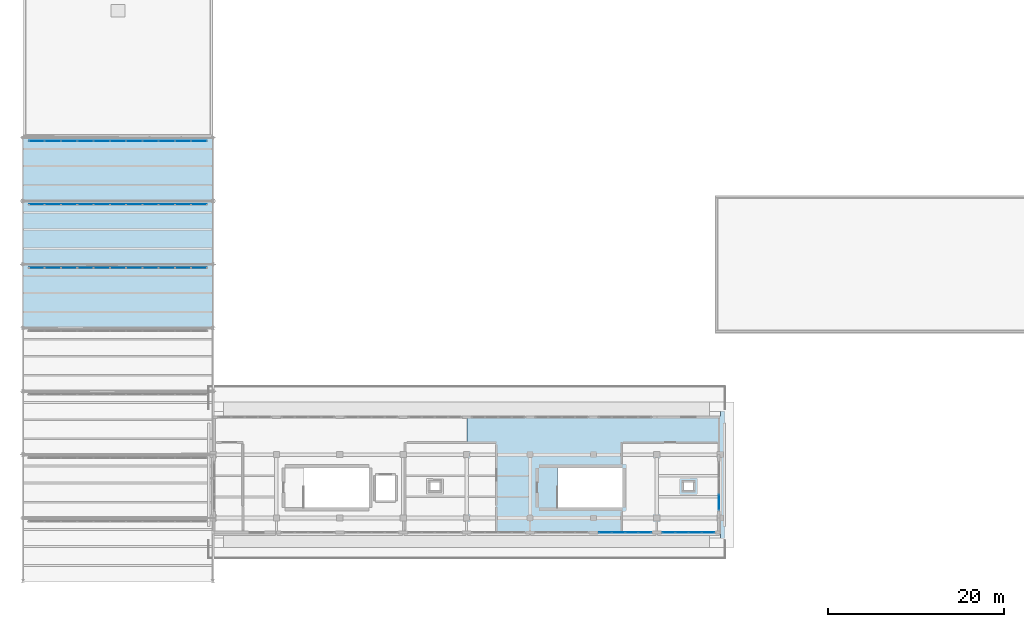
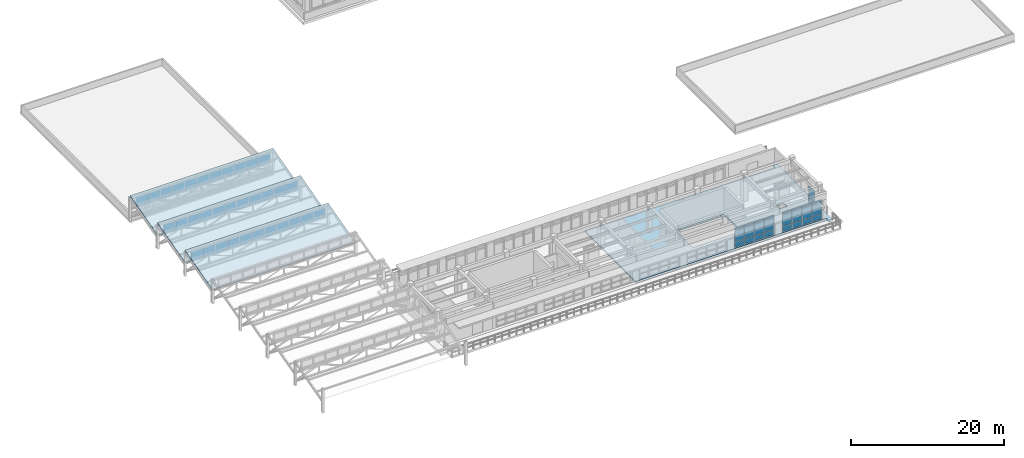
# One storey, part 36 of 55: 59 plates, 4 slabs, 6 elements without a shape of their own.
"""IFC4 building model written with IfcOpenShell, lengths in metres."""

import ifcopenshell
import ifcopenshell.guid

model = None  # the IFC model being written
_history = None  # IfcOwnerHistory: only IFC2X3 demands one
_inside = {}  # id of a spatial element -> (the spatial element, [elements in it])
_under = {}  # id of a project, library or spatial element -> (it, [spatial elements below it])
_declared = {}  # id of a project -> (the project, [libraries it declares])
_typed = {}  # id of a type object -> (the type object, [elements of that type])
_made_of = {}  # id of a material, layer set ... -> (it, [elements and type objects made of it])


def new_model(schema):
    """Start an empty IFC model of exactly this schema.

    Asked for "IFC4X3", IfcOpenShell would pick the latest addendum, in which some entities
    have other attributes; the version numbers below select the first issue.
    IFC2X3 requires an IfcOwnerHistory on every rooted entity: one is made here for all.
    """
    global model, _history
    if schema == "IFC4X3":
        model = ifcopenshell.file(schema_version=(4, 3, 0, 0))
    else:
        model = ifcopenshell.file(schema=schema)
    _inside.clear()
    _under.clear()
    _declared.clear()
    _typed.clear()
    _made_of.clear()
    _history = None
    if model.schema == "IFC2X3":
        org = make("IfcOrganization", Name="unknown")
        user = make(
            "IfcPersonAndOrganization",
            ThePerson=make("IfcPerson", FamilyName="unknown"),
            TheOrganization=org,
        )
        app = make(
            "IfcApplication",
            ApplicationDeveloper=org,
            Version="unknown",
            ApplicationFullName="unknown",
            ApplicationIdentifier="unknown",
        )
        _history = make(
            "IfcOwnerHistory",
            OwningUser=user,
            OwningApplication=app,
            ChangeAction="ADDED",
            CreationDate=0,
        )
    return model


def make(cls, **values):
    """One entity of the class cls with the attributes given. An attribute that is None is left unset."""
    return model.create_entity(
        cls, **{name: value for name, value in values.items() if value is not None}
    )


def rooted(cls, **values):
    """An entity with a GlobalId (a new one), such as an element, a storey or a relation."""
    return make(cls, GlobalId=ifcopenshell.guid.new(), OwnerHistory=_history, **values)


def si_unit(unit_type, name, prefix=None):
    """IfcSIUnit, for example si_unit("LENGTHUNIT", "METRE", prefix="MILLI")."""
    return make("IfcSIUnit", UnitType=unit_type, Prefix=prefix, Name=name)


def assignment(units):
    """IfcUnitAssignment: the units of a project."""
    return None if units is None else make("IfcUnitAssignment", Units=units)


def point(xyz):
    """IfcCartesianPoint."""
    return None if xyz is None else make("IfcCartesianPoint", Coordinates=xyz)


def direction(xyz):
    """IfcDirection."""
    return None if xyz is None else make("IfcDirection", DirectionRatios=xyz)


def frame(location, z_axis=None, x_axis=None):
    """IfcAxis2Placement3D, a coordinate frame: its origin and axes. An axis left out is left unset."""
    return make(
        "IfcAxis2Placement3D",
        Location=point(location),
        Axis=direction(z_axis),
        RefDirection=direction(x_axis),
    )


def frame_2d(location, x_axis=None):
    """IfcAxis2Placement2D, a coordinate frame in the plane: its origin and x axis."""
    return make(
        "IfcAxis2Placement2D", Location=point(location), RefDirection=direction(x_axis)
    )


def origin():
    """The frame at (0, 0, 0) with its axes left unset."""
    return frame((0.0, 0.0, 0.0))


def origin_2d():
    """The frame at (0, 0) in the plane with its x axis left unset."""
    return frame_2d((0.0, 0.0))


def place(relative_to, where):
    """IfcLocalPlacement: puts the frame where relative to a parent placement (None: the world)."""
    return make(
        "IfcLocalPlacement", PlacementRelTo=relative_to, RelativePlacement=where
    )


def context(
    kind, dimensions, precision=None, world=None, true_north=None, identifier=None
):
    """IfcGeometricRepresentationContext, for example the 3D "Model" context."""
    return make(
        "IfcGeometricRepresentationContext",
        ContextIdentifier=identifier,
        ContextType=kind,
        CoordinateSpaceDimension=dimensions,
        Precision=precision,
        WorldCoordinateSystem=world,
        TrueNorth=true_north,
    )


def subcontext(parent, identifier, kind, view, scale=None):
    """IfcGeometricRepresentationSubContext, for example "Body" below "Model"."""
    return make(
        "IfcGeometricRepresentationSubContext",
        ContextIdentifier=identifier,
        ContextType=kind,
        ParentContext=parent,
        TargetScale=scale,
        TargetView=view,
    )


def project(units=None, contexts=None):
    """IfcProject with its units and contexts."""
    return rooted(
        "IfcProject",
        Name="project",
        RepresentationContexts=contexts,
        UnitsInContext=assignment(units),
    )


def spatial(cls, under=None, at=None, **own):
    """A site, building, storey or space (cls), placed at a placement, below another one or the project."""
    s = rooted(cls, ObjectPlacement=at, **own)
    if under is not None:
        _under.setdefault(under.id(), (under, []))[1].append(s)
    return s


def polyline(points):
    """IfcPolyline through the points."""
    return make("IfcPolyline", Points=[point(p) for p in points])


def profile(cls, at=None, kind="AREA", **sizes):
    """A parametric profile (cls). Its sizes go by their IFC names, for example OverallWidth=200.0."""
    return make(cls, ProfileType=kind, Position=at, **sizes)


def rectangle(**sizes):
    """IfcRectangleProfileDef."""
    return profile("IfcRectangleProfileDef", **sizes)


def outline(outer, holes=None, kind="AREA"):
    """IfcArbitraryClosedProfileDef: a profile drawn as a closed curve; with holes, ...WithVoids."""
    if holes is None:
        return make("IfcArbitraryClosedProfileDef", ProfileType=kind, OuterCurve=outer)
    return make(
        "IfcArbitraryProfileDefWithVoids",
        ProfileType=kind,
        OuterCurve=outer,
        InnerCurves=holes,
    )


def extrude(swept, where, along, depth):
    """IfcExtrudedAreaSolid: the profile swept, set in the frame where, extruded along a direction by depth."""
    return make(
        "IfcExtrudedAreaSolid",
        SweptArea=swept,
        Position=where,
        ExtrudedDirection=direction(along),
        Depth=depth,
    )


def shape(context_of_items, identifier, shape_type, items):
    """IfcShapeRepresentation: the items that make up one representation, for example the "Body"."""
    return make(
        "IfcShapeRepresentation",
        ContextOfItems=context_of_items,
        RepresentationIdentifier=identifier,
        RepresentationType=shape_type,
        Items=items,
    )


def material(Name=None, Category=None):
    """IfcMaterial."""
    return make("IfcMaterial", Name=Name, Category=Category)


def layer(
    of_material, thickness, ventilated=None, Name=None, Category=None, Priority=None
):
    """IfcMaterialLayer: one layer of a wall or slab, of a material (None: an air gap)."""
    return make(
        "IfcMaterialLayer",
        Material=of_material,
        LayerThickness=thickness,
        IsVentilated=ventilated,
        Name=Name,
        Category=Category,
        Priority=Priority,
    )


def layer_set(layers, Name=None):
    """IfcMaterialLayerSet."""
    return make("IfcMaterialLayerSet", MaterialLayers=layers, LayerSetName=Name)


def made_of(thing, what):
    """Note that an element or type object is made of a material, layer set ...; save() writes the relation."""
    if what is not None:
        _made_of.setdefault(what.id(), (what, []))[1].append(thing)
    return thing


def type_object(cls, material=None, **own):
    """A type object (cls), such as IfcWallType, which elements share."""
    return made_of(rooted(cls, **own), material)


def element(
    cls,
    number,
    at=None,
    inside=None,
    cuts=None,
    type_object=None,
    material=None,
    context=None,
    identifier="Body",
    shape_type=None,
    held_by="IfcProductDefinitionShape",
    body=None,
    shapes=None,
    **own,
):
    """One element of the class cls, such as IfcWall. Its Tag is "e" and its number.

    at: its placement. inside: the storey or other place that contains it. cuts: it is an
    opening in that element (IfcRelVoidsElement). A single representation is given by context,
    identifier, shape_type and body (its items); several are given by shapes. held_by: the class
    of the entity that holds the representations. save() writes the other relations.
    """
    e = rooted(cls, Tag="e%d" % number, ObjectPlacement=at, **own)
    if body is not None:
        shapes = [shape(context, identifier, shape_type, body)]
    if shapes is not None:
        e.Representation = make(held_by, Representations=shapes)
    if inside is not None:
        _inside.setdefault(inside.id(), (inside, []))[1].append(e)
    if cuts is not None:
        rooted(
            "IfcRelVoidsElement", RelatingBuildingElement=cuts, RelatedOpeningElement=e
        )
    if type_object is not None:
        _typed.setdefault(type_object.id(), (type_object, []))[1].append(e)
    return made_of(e, material)


def aggregate(whole, parts):
    """IfcRelAggregates: a whole, such as a stair, and the parts it consists of."""
    return rooted("IfcRelAggregates", RelatingObject=whole, RelatedObjects=parts)


def save(model, path):
    """Write the relations noted so far, then the file.

    IfcRelAggregates (storeys below a building ...), IfcRelContainedInSpatialStructure (elements
    in a storey), IfcRelDefinesByType, IfcRelAssociatesMaterial and IfcRelDeclares: one each for
    every whole, place, type object, material and project.
    """
    for whole, parts in _under.values():
        aggregate(whole, parts)
    for where, things in _inside.values():
        rooted(
            "IfcRelContainedInSpatialStructure",
            RelatedElements=things,
            RelatingStructure=where,
        )
    for kind, things in _typed.values():
        rooted("IfcRelDefinesByType", RelatedObjects=things, RelatingType=kind)
    for what, things in _made_of.values():
        rooted("IfcRelAssociatesMaterial", RelatedObjects=things, RelatingMaterial=what)
    for by, libraries in _declared.values():
        rooted("IfcRelDeclares", RelatingContext=by, RelatedDefinitions=libraries)
    model.write(path)


model = new_model("IFC4")

# Units and contexts
model_context = context("Model", 3, precision=1e-05, world=origin(), true_north=direction((0.0, 1.0)))
body_context = subcontext(model_context, "Body", "Model", "MODEL_VIEW")
ifc_project = project(units=[si_unit("LENGTHUNIT", "METRE"), si_unit("AREAUNIT", "SQUARE_METRE"), si_unit("VOLUMEUNIT", "CUBIC_METRE"), si_unit("PLANEANGLEUNIT", "RADIAN"), si_unit("MASSUNIT", "GRAM", prefix="KILO")], contexts=[model_context])

# Site, building, storey
site_placement = place(None, origin())
site = spatial("IfcSite", under=ifc_project, at=site_placement, CompositionType="ELEMENT")
building_placement = place(site_placement, origin())
building = spatial("IfcBuilding", under=site, at=building_placement, Name="Solenvale Faculty of Natural Sciences", CompositionType="ELEMENT")
storey_placement = place(building_placement, frame((0.0, 0.0, 22.5)))
storey = spatial("IfcBuildingStorey", under=building, at=storey_placement, Name="L05", CompositionType="ELEMENT", Elevation=22.5)

# Curtain wall, plates
ifc_material_1 = material(Name="Anodised bronze aluminium", Category="aluminium")
ifc_layer_1 = layer(ifc_material_1, 0.1650390625)
ifc_layer_set_1 = layer_set([ifc_layer_1], Name="Anodised bronze aluminium")
curtain_wall_type_1 = type_object("IfcCurtainWallType", Name="CW-SAW-CLR", PredefinedType="USERDEFINED", material=ifc_layer_set_1)
curtain_wall_1_placement = place(storey_placement, origin())
curtain_wall_1 = element("IfcCurtainWall", 1, at=curtain_wall_1_placement, inside=storey, type_object=curtain_wall_type_1, Name="L05 Curtain Wall SAW-V3-CW-5-1", ObjectType="NORTH LIGHT CLERESTORY", PredefinedType="USERDEFINED")
ifc_material_2 = material(Name="North-light skylight glass", Category="glass")
ifc_layer_2 = layer(ifc_material_2, 0.028076171875)
ifc_layer_set_2 = layer_set([ifc_layer_2], Name="North-light skylight glass")
plate_type_1 = type_object("IfcPlateType", Name="CWP-PNL-28", PredefinedType="CURTAIN_PANEL", material=ifc_layer_set_2)
plate_1_placement = place(storey_placement, frame((56.02001953125, 50.02001953125, 2.294921875), z_axis=(0.0, 0.0, 1.0), x_axis=(-1.0, 0.0, 0.0)))
plate_1 = element("IfcPlate", 2, at=plate_1_placement, type_object=plate_type_1, Name="CW-05 panel 1.1", PredefinedType="CURTAIN_PANEL", context=body_context, shape_type="SweptSolid", body=[
    extrude(rectangle(XDim=1.749755859375, YDim=0.028076171875, at=origin_2d()), origin(), (0.0, 0.0, 1.0), 1.47998046875),
])
plate_2_placement = place(storey_placement, frame((54.189208984375, 50.02001953125, 2.294921875), z_axis=(0.0, 0.0, 1.0), x_axis=(-1.0, 0.0, 0.0)))
plate_2 = element("IfcPlate", 3, at=plate_2_placement, type_object=plate_type_1, Name="CW-05 panel 2.1", PredefinedType="CURTAIN_PANEL", context=body_context, shape_type="SweptSolid", body=[
    extrude(rectangle(XDim=1.7822265625, YDim=0.028076171875, at=origin_2d()), origin(), (0.0, 0.0, 1.0), 1.47998046875),
])
plate_3_placement = place(storey_placement, frame((52.341796875, 50.02001953125, 2.294921875), z_axis=(0.0, 0.0, 1.0), x_axis=(-1.0, 0.0, 0.0)))
plate_3 = element("IfcPlate", 4, at=plate_3_placement, type_object=plate_type_1, Name="CW-05 panel 3.1", PredefinedType="CURTAIN_PANEL", context=body_context, shape_type="SweptSolid", body=[
    extrude(rectangle(XDim=1.7822265625, YDim=0.028076171875, at=origin_2d()), origin(), (0.0, 0.0, 1.0), 1.47998046875),
])
plate_4_placement = place(storey_placement, frame((50.49462890625, 50.02001953125, 2.294921875), z_axis=(0.0, 0.0, 1.0), x_axis=(-1.0, 0.0, 0.0)))
plate_4 = element("IfcPlate", 5, at=plate_4_placement, type_object=plate_type_1, Name="CW-05 panel 4.1", PredefinedType="CURTAIN_PANEL", context=body_context, shape_type="SweptSolid", body=[
    extrude(rectangle(XDim=1.7822265625, YDim=0.028076171875, at=origin_2d()), origin(), (0.0, 0.0, 1.0), 1.47998046875),
])
plate_5_placement = place(storey_placement, frame((48.647216796875, 50.02001953125, 2.294921875), z_axis=(0.0, 0.0, 1.0), x_axis=(-1.0, 0.0, 0.0)))
plate_5 = element("IfcPlate", 6, at=plate_5_placement, type_object=plate_type_1, Name="CW-05 panel 5.1", PredefinedType="CURTAIN_PANEL", context=body_context, shape_type="SweptSolid", body=[
    extrude(rectangle(XDim=1.7822265625, YDim=0.028076171875, at=origin_2d()), origin(), (0.0, 0.0, 1.0), 1.47998046875),
])
plate_6_placement = place(storey_placement, frame((46.800048828125, 50.02001953125, 2.294921875), z_axis=(0.0, 0.0, 1.0), x_axis=(-1.0, 0.0, 0.0)))
plate_6 = element("IfcPlate", 7, at=plate_6_placement, type_object=plate_type_1, Name="CW-05 panel 6.1", PredefinedType="CURTAIN_PANEL", context=body_context, shape_type="SweptSolid", body=[
    extrude(rectangle(XDim=1.7822265625, YDim=0.028076171875, at=origin_2d()), origin(), (0.0, 0.0, 1.0), 1.47998046875),
])
plate_7_placement = place(storey_placement, frame((44.95263671875, 50.02001953125, 2.294921875), z_axis=(0.0, 0.0, 1.0), x_axis=(-1.0, 0.0, 0.0)))
plate_7 = element("IfcPlate", 8, at=plate_7_placement, type_object=plate_type_1, Name="CW-05 panel 7.1", PredefinedType="CURTAIN_PANEL", context=body_context, shape_type="SweptSolid", body=[
    extrude(rectangle(XDim=1.7822265625, YDim=0.028076171875, at=origin_2d()), origin(), (0.0, 0.0, 1.0), 1.47998046875),
])
plate_8_placement = place(storey_placement, frame((43.10546875, 50.02001953125, 2.294921875), z_axis=(0.0, 0.0, 1.0), x_axis=(-1.0, 0.0, 0.0)))
plate_8 = element("IfcPlate", 9, at=plate_8_placement, type_object=plate_type_1, Name="CW-05 panel 8.1", PredefinedType="CURTAIN_PANEL", context=body_context, shape_type="SweptSolid", body=[
    extrude(rectangle(XDim=1.7822265625, YDim=0.028076171875, at=origin_2d()), origin(), (0.0, 0.0, 1.0), 1.47998046875),
])
plate_9_placement = place(storey_placement, frame((41.25830078125, 50.02001953125, 2.294921875), z_axis=(0.0, 0.0, 1.0), x_axis=(-1.0, 0.0, 0.0)))
plate_9 = element("IfcPlate", 10, at=plate_9_placement, type_object=plate_type_1, Name="CW-05 panel 9.1", PredefinedType="CURTAIN_PANEL", context=body_context, shape_type="SweptSolid", body=[
    extrude(rectangle(XDim=1.7822265625, YDim=0.028076171875, at=origin_2d()), origin(), (0.0, 0.0, 1.0), 1.47998046875),
])
plate_10_placement = place(storey_placement, frame((39.410888671875, 50.02001953125, 2.294921875), z_axis=(0.0, 0.0, 1.0), x_axis=(-1.0, 0.0, 0.0)))
plate_10 = element("IfcPlate", 11, at=plate_10_placement, type_object=plate_type_1, Name="CW-05 panel 10.1", PredefinedType="CURTAIN_PANEL", context=body_context, shape_type="SweptSolid", body=[
    extrude(rectangle(XDim=1.7822265625, YDim=0.028076171875, at=origin_2d()), origin(), (0.0, 0.0, 1.0), 1.47998046875),
])
plate_11_placement = place(storey_placement, frame((37.579833984375, 50.02001953125, 2.294921875), z_axis=(0.0, 0.0, 1.0), x_axis=(-1.0, 0.0, 0.0)))
plate_11 = element("IfcPlate", 12, at=plate_11_placement, type_object=plate_type_1, Name="CW-05 panel 11.1", PredefinedType="CURTAIN_PANEL", context=body_context, shape_type="SweptSolid", body=[
    extrude(rectangle(XDim=1.749755859375, YDim=0.028076171875, at=origin_2d()), origin(), (0.0, 0.0, 1.0), 1.47998046875),
])
aggregate(curtain_wall_1, [plate_1, plate_2, plate_3, plate_4, plate_5, plate_6, plate_7, plate_8, plate_9, plate_10, plate_11])

curtain_wall_2_placement = place(storey_placement, origin())
curtain_wall_2 = element("IfcCurtainWall", 13, at=curtain_wall_2_placement, inside=storey, type_object=curtain_wall_type_1, Name="L05 Curtain Wall SAW-V3-CW-6-1", ObjectType="NORTH LIGHT CLERESTORY", PredefinedType="USERDEFINED")
plate_12_placement = place(storey_placement, frame((56.02001953125, 57.219970703125, 2.294921875), z_axis=(0.0, 0.0, 1.0), x_axis=(-1.0, 0.0, 0.0)))
plate_12 = element("IfcPlate", 14, at=plate_12_placement, type_object=plate_type_1, Name="CW-05 panel 1.1", PredefinedType="CURTAIN_PANEL", context=body_context, shape_type="SweptSolid", body=[
    extrude(rectangle(XDim=1.749755859375, YDim=0.028076171875, at=origin_2d()), origin(), (0.0, 0.0, 1.0), 1.47998046875),
])
plate_13_placement = place(storey_placement, frame((54.189208984375, 57.219970703125, 2.294921875), z_axis=(0.0, 0.0, 1.0), x_axis=(-1.0, 0.0, 0.0)))
plate_13 = element("IfcPlate", 15, at=plate_13_placement, type_object=plate_type_1, Name="CW-05 panel 2.1", PredefinedType="CURTAIN_PANEL", context=body_context, shape_type="SweptSolid", body=[
    extrude(rectangle(XDim=1.7822265625, YDim=0.028076171875, at=origin_2d()), origin(), (0.0, 0.0, 1.0), 1.47998046875),
])
plate_14_placement = place(storey_placement, frame((52.341796875, 57.219970703125, 2.294921875), z_axis=(0.0, 0.0, 1.0), x_axis=(-1.0, 0.0, 0.0)))
plate_14 = element("IfcPlate", 16, at=plate_14_placement, type_object=plate_type_1, Name="CW-05 panel 3.1", PredefinedType="CURTAIN_PANEL", context=body_context, shape_type="SweptSolid", body=[
    extrude(rectangle(XDim=1.7822265625, YDim=0.028076171875, at=origin_2d()), origin(), (0.0, 0.0, 1.0), 1.47998046875),
])
plate_15_placement = place(storey_placement, frame((50.49462890625, 57.219970703125, 2.294921875), z_axis=(0.0, 0.0, 1.0), x_axis=(-1.0, 0.0, 0.0)))
plate_15 = element("IfcPlate", 17, at=plate_15_placement, type_object=plate_type_1, Name="CW-05 panel 4.1", PredefinedType="CURTAIN_PANEL", context=body_context, shape_type="SweptSolid", body=[
    extrude(rectangle(XDim=1.7822265625, YDim=0.028076171875, at=origin_2d()), origin(), (0.0, 0.0, 1.0), 1.47998046875),
])
plate_16_placement = place(storey_placement, frame((48.647216796875, 57.219970703125, 2.294921875), z_axis=(0.0, 0.0, 1.0), x_axis=(-1.0, 0.0, 0.0)))
plate_16 = element("IfcPlate", 18, at=plate_16_placement, type_object=plate_type_1, Name="CW-05 panel 5.1", PredefinedType="CURTAIN_PANEL", context=body_context, shape_type="SweptSolid", body=[
    extrude(rectangle(XDim=1.7822265625, YDim=0.028076171875, at=origin_2d()), origin(), (0.0, 0.0, 1.0), 1.47998046875),
])
plate_17_placement = place(storey_placement, frame((46.800048828125, 57.219970703125, 2.294921875), z_axis=(0.0, 0.0, 1.0), x_axis=(-1.0, 0.0, 0.0)))
plate_17 = element("IfcPlate", 19, at=plate_17_placement, type_object=plate_type_1, Name="CW-05 panel 6.1", PredefinedType="CURTAIN_PANEL", context=body_context, shape_type="SweptSolid", body=[
    extrude(rectangle(XDim=1.7822265625, YDim=0.028076171875, at=origin_2d()), origin(), (0.0, 0.0, 1.0), 1.47998046875),
])
plate_18_placement = place(storey_placement, frame((44.95263671875, 57.219970703125, 2.294921875), z_axis=(0.0, 0.0, 1.0), x_axis=(-1.0, 0.0, 0.0)))
plate_18 = element("IfcPlate", 20, at=plate_18_placement, type_object=plate_type_1, Name="CW-05 panel 7.1", PredefinedType="CURTAIN_PANEL", context=body_context, shape_type="SweptSolid", body=[
    extrude(rectangle(XDim=1.7822265625, YDim=0.028076171875, at=origin_2d()), origin(), (0.0, 0.0, 1.0), 1.47998046875),
])
plate_19_placement = place(storey_placement, frame((43.10546875, 57.219970703125, 2.294921875), z_axis=(0.0, 0.0, 1.0), x_axis=(-1.0, 0.0, 0.0)))
plate_19 = element("IfcPlate", 21, at=plate_19_placement, type_object=plate_type_1, Name="CW-05 panel 8.1", PredefinedType="CURTAIN_PANEL", context=body_context, shape_type="SweptSolid", body=[
    extrude(rectangle(XDim=1.7822265625, YDim=0.028076171875, at=origin_2d()), origin(), (0.0, 0.0, 1.0), 1.47998046875),
])
plate_20_placement = place(storey_placement, frame((41.25830078125, 57.219970703125, 2.294921875), z_axis=(0.0, 0.0, 1.0), x_axis=(-1.0, 0.0, 0.0)))
plate_20 = element("IfcPlate", 22, at=plate_20_placement, type_object=plate_type_1, Name="CW-05 panel 9.1", PredefinedType="CURTAIN_PANEL", context=body_context, shape_type="SweptSolid", body=[
    extrude(rectangle(XDim=1.7822265625, YDim=0.028076171875, at=origin_2d()), origin(), (0.0, 0.0, 1.0), 1.47998046875),
])
plate_21_placement = place(storey_placement, frame((39.410888671875, 57.219970703125, 2.294921875), z_axis=(0.0, 0.0, 1.0), x_axis=(-1.0, 0.0, 0.0)))
plate_21 = element("IfcPlate", 23, at=plate_21_placement, type_object=plate_type_1, Name="CW-05 panel 10.1", PredefinedType="CURTAIN_PANEL", context=body_context, shape_type="SweptSolid", body=[
    extrude(rectangle(XDim=1.7822265625, YDim=0.028076171875, at=origin_2d()), origin(), (0.0, 0.0, 1.0), 1.47998046875),
])
plate_22_placement = place(storey_placement, frame((37.579833984375, 57.219970703125, 2.294921875), z_axis=(0.0, 0.0, 1.0), x_axis=(-1.0, 0.0, 0.0)))
plate_22 = element("IfcPlate", 24, at=plate_22_placement, type_object=plate_type_1, Name="CW-05 panel 11.1", PredefinedType="CURTAIN_PANEL", context=body_context, shape_type="SweptSolid", body=[
    extrude(rectangle(XDim=1.749755859375, YDim=0.028076171875, at=origin_2d()), origin(), (0.0, 0.0, 1.0), 1.47998046875),
])
aggregate(curtain_wall_2, [plate_12, plate_13, plate_14, plate_15, plate_16, plate_17, plate_18, plate_19, plate_20, plate_21, plate_22])

curtain_wall_3_placement = place(storey_placement, origin())
curtain_wall_3 = element("IfcCurtainWall", 25, at=curtain_wall_3_placement, inside=storey, type_object=curtain_wall_type_1, Name="L05 Curtain Wall SAW-V3-CW-7-1", ObjectType="NORTH LIGHT CLERESTORY", PredefinedType="USERDEFINED")
plate_23_placement = place(storey_placement, frame((56.02001953125, 64.419921875, 2.294921875), z_axis=(0.0, 0.0, 1.0), x_axis=(-1.0, 0.0, 0.0)))
plate_23 = element("IfcPlate", 26, at=plate_23_placement, type_object=plate_type_1, Name="CW-05 panel 1.1", PredefinedType="CURTAIN_PANEL", context=body_context, shape_type="SweptSolid", body=[
    extrude(rectangle(XDim=1.749755859375, YDim=0.028076171875, at=origin_2d()), origin(), (0.0, 0.0, 1.0), 1.47998046875),
])
plate_24_placement = place(storey_placement, frame((54.189208984375, 64.419921875, 2.294921875), z_axis=(0.0, 0.0, 1.0), x_axis=(-1.0, 0.0, 0.0)))
plate_24 = element("IfcPlate", 27, at=plate_24_placement, type_object=plate_type_1, Name="CW-05 panel 2.1", PredefinedType="CURTAIN_PANEL", context=body_context, shape_type="SweptSolid", body=[
    extrude(rectangle(XDim=1.7822265625, YDim=0.028076171875, at=origin_2d()), origin(), (0.0, 0.0, 1.0), 1.47998046875),
])
plate_25_placement = place(storey_placement, frame((52.341796875, 64.419921875, 2.294921875), z_axis=(0.0, 0.0, 1.0), x_axis=(-1.0, 0.0, 0.0)))
plate_25 = element("IfcPlate", 28, at=plate_25_placement, type_object=plate_type_1, Name="CW-05 panel 3.1", PredefinedType="CURTAIN_PANEL", context=body_context, shape_type="SweptSolid", body=[
    extrude(rectangle(XDim=1.7822265625, YDim=0.028076171875, at=origin_2d()), origin(), (0.0, 0.0, 1.0), 1.47998046875),
])
plate_26_placement = place(storey_placement, frame((50.49462890625, 64.419921875, 2.294921875), z_axis=(0.0, 0.0, 1.0), x_axis=(-1.0, 0.0, 0.0)))
plate_26 = element("IfcPlate", 29, at=plate_26_placement, type_object=plate_type_1, Name="CW-05 panel 4.1", PredefinedType="CURTAIN_PANEL", context=body_context, shape_type="SweptSolid", body=[
    extrude(rectangle(XDim=1.7822265625, YDim=0.028076171875, at=origin_2d()), origin(), (0.0, 0.0, 1.0), 1.47998046875),
])
plate_27_placement = place(storey_placement, frame((48.647216796875, 64.419921875, 2.294921875), z_axis=(0.0, 0.0, 1.0), x_axis=(-1.0, 0.0, 0.0)))
plate_27 = element("IfcPlate", 30, at=plate_27_placement, type_object=plate_type_1, Name="CW-05 panel 5.1", PredefinedType="CURTAIN_PANEL", context=body_context, shape_type="SweptSolid", body=[
    extrude(rectangle(XDim=1.7822265625, YDim=0.028076171875, at=origin_2d()), origin(), (0.0, 0.0, 1.0), 1.47998046875),
])
plate_28_placement = place(storey_placement, frame((46.800048828125, 64.419921875, 2.294921875), z_axis=(0.0, 0.0, 1.0), x_axis=(-1.0, 0.0, 0.0)))
plate_28 = element("IfcPlate", 31, at=plate_28_placement, type_object=plate_type_1, Name="CW-05 panel 6.1", PredefinedType="CURTAIN_PANEL", context=body_context, shape_type="SweptSolid", body=[
    extrude(rectangle(XDim=1.7822265625, YDim=0.028076171875, at=origin_2d()), origin(), (0.0, 0.0, 1.0), 1.47998046875),
])
plate_29_placement = place(storey_placement, frame((44.95263671875, 64.419921875, 2.294921875), z_axis=(0.0, 0.0, 1.0), x_axis=(-1.0, 0.0, 0.0)))
plate_29 = element("IfcPlate", 32, at=plate_29_placement, type_object=plate_type_1, Name="CW-05 panel 7.1", PredefinedType="CURTAIN_PANEL", context=body_context, shape_type="SweptSolid", body=[
    extrude(rectangle(XDim=1.7822265625, YDim=0.028076171875, at=origin_2d()), origin(), (0.0, 0.0, 1.0), 1.47998046875),
])
plate_30_placement = place(storey_placement, frame((43.10546875, 64.419921875, 2.294921875), z_axis=(0.0, 0.0, 1.0), x_axis=(-1.0, 0.0, 0.0)))
plate_30 = element("IfcPlate", 33, at=plate_30_placement, type_object=plate_type_1, Name="CW-05 panel 8.1", PredefinedType="CURTAIN_PANEL", context=body_context, shape_type="SweptSolid", body=[
    extrude(rectangle(XDim=1.7822265625, YDim=0.028076171875, at=origin_2d()), origin(), (0.0, 0.0, 1.0), 1.47998046875),
])
plate_31_placement = place(storey_placement, frame((41.25830078125, 64.419921875, 2.294921875), z_axis=(0.0, 0.0, 1.0), x_axis=(-1.0, 0.0, 0.0)))
plate_31 = element("IfcPlate", 34, at=plate_31_placement, type_object=plate_type_1, Name="CW-05 panel 9.1", PredefinedType="CURTAIN_PANEL", context=body_context, shape_type="SweptSolid", body=[
    extrude(rectangle(XDim=1.7822265625, YDim=0.028076171875, at=origin_2d()), origin(), (0.0, 0.0, 1.0), 1.47998046875),
])
plate_32_placement = place(storey_placement, frame((39.410888671875, 64.419921875, 2.294921875), z_axis=(0.0, 0.0, 1.0), x_axis=(-1.0, 0.0, 0.0)))
plate_32 = element("IfcPlate", 35, at=plate_32_placement, type_object=plate_type_1, Name="CW-05 panel 10.1", PredefinedType="CURTAIN_PANEL", context=body_context, shape_type="SweptSolid", body=[
    extrude(rectangle(XDim=1.7822265625, YDim=0.028076171875, at=origin_2d()), origin(), (0.0, 0.0, 1.0), 1.47998046875),
])
plate_33_placement = place(storey_placement, frame((37.579833984375, 64.419921875, 2.294921875), z_axis=(0.0, 0.0, 1.0), x_axis=(-1.0, 0.0, 0.0)))
plate_33 = element("IfcPlate", 36, at=plate_33_placement, type_object=plate_type_1, Name="CW-05 panel 11.1", PredefinedType="CURTAIN_PANEL", context=body_context, shape_type="SweptSolid", body=[
    extrude(rectangle(XDim=1.749755859375, YDim=0.028076171875, at=origin_2d()), origin(), (0.0, 0.0, 1.0), 1.47998046875),
])
aggregate(curtain_wall_3, [plate_23, plate_24, plate_25, plate_26, plate_27, plate_28, plate_29, plate_30, plate_31, plate_32, plate_33])

ifc_layer_3 = layer(ifc_material_1, 0.179931640625)
ifc_layer_set_3 = layer_set([ifc_layer_3], Name="Anodised bronze aluminium")
curtain_wall_type_2 = type_object("IfcCurtainWallType", Name="CW-TWR-MOD", PredefinedType="USERDEFINED", material=ifc_layer_set_3)
curtain_wall_4_placement = place(storey_placement, origin())
curtain_wall_4 = element("IfcCurtainWall", 37, at=curtain_wall_4_placement, inside=storey, type_object=curtain_wall_type_2, Name="L05 Curtain Wall CW-L05-P1-E1-B2", ObjectType="UNITISED CURTAIN WALL", PredefinedType="USERDEFINED")
ifc_material_3 = material(Name="Triple low-E insulated glass", Category="glass")
ifc_layer_4 = layer(ifc_material_3, 0.031982421875)
ifc_layer_set_4 = layer_set([ifc_layer_4], Name="Triple low-E insulated glass")
plate_type_2 = type_object("IfcPlateType", Name="CWP-PNL-32", PredefinedType="CURTAIN_PANEL", material=ifc_layer_set_4)
plate_34_placement = place(storey_placement, frame((115.0576171875, 23.385498046875, 0.074951171875), z_axis=(0.0, 0.0, 1.0), x_axis=(0.0, 1.0, 0.0)))
plate_34 = element("IfcPlate", 38, at=plate_34_placement, type_object=plate_type_2, Name="CW-04 panel 1.1", PredefinedType="CURTAIN_PANEL", context=body_context, shape_type="SweptSolid", body=[
    extrude(rectangle(XDim=1.720947265625, YDim=0.031982421875, at=origin_2d()), origin(), (0.0, 0.0, 1.0), 0.78759765625),
])
plate_35_placement = place(storey_placement, frame((115.0576171875, 23.385498046875, 0.9375), z_axis=(0.0, 0.0, 1.0), x_axis=(0.0, 1.0, 0.0)))
plate_35 = element("IfcPlate", 39, at=plate_35_placement, type_object=plate_type_2, Name="CW-04 panel 1.2", PredefinedType="CURTAIN_PANEL", context=body_context, shape_type="SweptSolid", body=[
    extrude(rectangle(XDim=1.720947265625, YDim=0.031982421875, at=origin_2d()), origin(), (0.0, 0.0, 1.0), 1.784912109375),
])
aggregate(curtain_wall_4, [plate_34, plate_35])

ifc_layer_5 = layer(ifc_material_1, 0.18994140625)
ifc_layer_set_5 = layer_set([ifc_layer_5], Name="Anodised bronze aluminium")
curtain_wall_type_3 = type_object("IfcCurtainWallType", Name="CW-TRAY-REC", PredefinedType="USERDEFINED", material=ifc_layer_set_5)
curtain_wall_5_placement = place(storey_placement, origin())
curtain_wall_5 = element("IfcCurtainWall", 40, at=curtain_wall_5_placement, inside=storey, type_object=curtain_wall_type_3, Name="L05 Curtain Wall CW-L05-P1-E4-B7", ObjectType="UNITISED CURTAIN WALL", PredefinedType="USERDEFINED")
plate_36_placement = place(storey_placement, frame((102.15380859375, 19.96240234375, 0.074951171875), z_axis=(0.0, 0.0, 1.0), x_axis=(1.0, 0.0, 0.0)))
plate_36 = element("IfcPlate", 41, at=plate_36_placement, type_object=plate_type_2, Name="CW-02 panel 1.1", PredefinedType="CURTAIN_PANEL", context=body_context, shape_type="SweptSolid", body=[
    extrude(rectangle(XDim=1.3974609375, YDim=0.031982421875, at=origin_2d()), origin(), (0.0, 0.0, 1.0), 0.78759765625),
])
plate_37_placement = place(storey_placement, frame((102.15380859375, 19.96240234375, 0.9375), z_axis=(0.0, 0.0, 1.0), x_axis=(1.0, 0.0, 0.0)))
plate_37 = element("IfcPlate", 42, at=plate_37_placement, type_object=plate_type_2, Name="CW-02 panel 1.2", PredefinedType="CURTAIN_PANEL", context=body_context, shape_type="SweptSolid", body=[
    extrude(rectangle(XDim=1.3974609375, YDim=0.031982421875, at=origin_2d()), origin(), (0.0, 0.0, 1.0), 1.784912109375),
])
plate_38_placement = place(storey_placement, frame((102.15380859375, 19.96240234375, 2.79736328125), z_axis=(0.0, 0.0, 1.0), x_axis=(1.0, 0.0, 0.0)))
plate_38 = element("IfcPlate", 43, at=plate_38_placement, type_object=plate_type_2, Name="CW-02 panel 1.3", PredefinedType="CURTAIN_PANEL", context=body_context, shape_type="SweptSolid", body=[
    extrude(rectangle(XDim=1.3974609375, YDim=0.031982421875, at=origin_2d()), origin(), (0.0, 0.0, 1.0), 0.387451171875),
])
plate_39_placement = place(storey_placement, frame((103.64501953125, 19.96240234375, 0.074951171875), z_axis=(0.0, 0.0, 1.0), x_axis=(1.0, 0.0, 0.0)))
plate_39 = element("IfcPlate", 44, at=plate_39_placement, type_object=plate_type_2, Name="CW-02 panel 2.1", PredefinedType="CURTAIN_PANEL", context=body_context, shape_type="SweptSolid", body=[
    extrude(rectangle(XDim=1.43505859375, YDim=0.031982421875, at=origin_2d()), origin(), (0.0, 0.0, 1.0), 0.78759765625),
])
plate_40_placement = place(storey_placement, frame((103.64501953125, 19.96240234375, 0.9375), z_axis=(0.0, 0.0, 1.0), x_axis=(1.0, 0.0, 0.0)))
plate_40 = element("IfcPlate", 45, at=plate_40_placement, type_object=plate_type_2, Name="CW-02 panel 2.2", PredefinedType="CURTAIN_PANEL", context=body_context, shape_type="SweptSolid", body=[
    extrude(rectangle(XDim=1.43505859375, YDim=0.031982421875, at=origin_2d()), origin(), (0.0, 0.0, 1.0), 1.784912109375),
])
plate_41_placement = place(storey_placement, frame((103.64501953125, 19.96240234375, 2.79736328125), z_axis=(0.0, 0.0, 1.0), x_axis=(1.0, 0.0, 0.0)))
plate_41 = element("IfcPlate", 46, at=plate_41_placement, type_object=plate_type_2, Name="CW-02 panel 2.3", PredefinedType="CURTAIN_PANEL", context=body_context, shape_type="SweptSolid", body=[
    extrude(rectangle(XDim=1.43505859375, YDim=0.031982421875, at=origin_2d()), origin(), (0.0, 0.0, 1.0), 0.387451171875),
])
plate_42_placement = place(storey_placement, frame((105.155029296875, 19.96240234375, 0.074951171875), z_axis=(0.0, 0.0, 1.0), x_axis=(1.0, 0.0, 0.0)))
plate_42 = element("IfcPlate", 47, at=plate_42_placement, type_object=plate_type_2, Name="CW-02 panel 3.1", PredefinedType="CURTAIN_PANEL", context=body_context, shape_type="SweptSolid", body=[
    extrude(rectangle(XDim=1.43505859375, YDim=0.031982421875, at=origin_2d()), origin(), (0.0, 0.0, 1.0), 0.78759765625),
])
plate_43_placement = place(storey_placement, frame((105.155029296875, 19.96240234375, 0.9375), z_axis=(0.0, 0.0, 1.0), x_axis=(1.0, 0.0, 0.0)))
plate_43 = element("IfcPlate", 48, at=plate_43_placement, type_object=plate_type_2, Name="CW-02 panel 3.2", PredefinedType="CURTAIN_PANEL", context=body_context, shape_type="SweptSolid", body=[
    extrude(rectangle(XDim=1.43505859375, YDim=0.031982421875, at=origin_2d()), origin(), (0.0, 0.0, 1.0), 1.784912109375),
])
plate_44_placement = place(storey_placement, frame((105.155029296875, 19.96240234375, 2.79736328125), z_axis=(0.0, 0.0, 1.0), x_axis=(1.0, 0.0, 0.0)))
plate_44 = element("IfcPlate", 49, at=plate_44_placement, type_object=plate_type_2, Name="CW-02 panel 3.3", PredefinedType="CURTAIN_PANEL", context=body_context, shape_type="SweptSolid", body=[
    extrude(rectangle(XDim=1.43505859375, YDim=0.031982421875, at=origin_2d()), origin(), (0.0, 0.0, 1.0), 0.387451171875),
])
plate_45_placement = place(storey_placement, frame((106.646240234375, 19.96240234375, 0.074951171875), z_axis=(0.0, 0.0, 1.0), x_axis=(1.0, 0.0, 0.0)))
plate_45 = element("IfcPlate", 50, at=plate_45_placement, type_object=plate_type_2, Name="CW-02 panel 4.1", PredefinedType="CURTAIN_PANEL", context=body_context, shape_type="SweptSolid", body=[
    extrude(rectangle(XDim=1.3974609375, YDim=0.031982421875, at=origin_2d()), origin(), (0.0, 0.0, 1.0), 0.78759765625),
])
plate_46_placement = place(storey_placement, frame((106.646240234375, 19.96240234375, 0.9375), z_axis=(0.0, 0.0, 1.0), x_axis=(1.0, 0.0, 0.0)))
plate_46 = element("IfcPlate", 51, at=plate_46_placement, type_object=plate_type_2, Name="CW-02 panel 4.2", PredefinedType="CURTAIN_PANEL", context=body_context, shape_type="SweptSolid", body=[
    extrude(rectangle(XDim=1.3974609375, YDim=0.031982421875, at=origin_2d()), origin(), (0.0, 0.0, 1.0), 1.784912109375),
])
plate_47_placement = place(storey_placement, frame((106.646240234375, 19.96240234375, 2.79736328125), z_axis=(0.0, 0.0, 1.0), x_axis=(1.0, 0.0, 0.0)))
plate_47 = element("IfcPlate", 52, at=plate_47_placement, type_object=plate_type_2, Name="CW-02 panel 4.3", PredefinedType="CURTAIN_PANEL", context=body_context, shape_type="SweptSolid", body=[
    extrude(rectangle(XDim=1.3974609375, YDim=0.031982421875, at=origin_2d()), origin(), (0.0, 0.0, 1.0), 0.387451171875),
])
aggregate(curtain_wall_5, [plate_36, plate_37, plate_38, plate_39, plate_40, plate_41, plate_42, plate_43, plate_44, plate_45, plate_46, plate_47])

curtain_wall_6_placement = place(storey_placement, origin())
curtain_wall_6 = element("IfcCurtainWall", 53, at=curtain_wall_6_placement, inside=storey, type_object=curtain_wall_type_3, Name="L05 Curtain Wall CW-L05-P1-E4-B8", ObjectType="UNITISED CURTAIN WALL", PredefinedType="USERDEFINED")
ifc_layer_6 = layer(ifc_material_3, 0.035888671875)
ifc_layer_set_6 = layer_set([ifc_layer_6], Name="Triple low-E insulated glass")
plate_type_3 = type_object("IfcPlateType", Name="CWP-PNL-36", PredefinedType="CURTAIN_PANEL", material=ifc_layer_set_6)
plate_48_placement = place(storey_placement, frame((109.353759765625, 19.96240234375, 0.074951171875), z_axis=(0.0, 0.0, 1.0), x_axis=(1.0, 0.0, 0.0)))
plate_48 = element("IfcPlate", 54, at=plate_48_placement, type_object=plate_type_3, Name="CW-02 panel 1.1", PredefinedType="CURTAIN_PANEL", context=body_context, shape_type="SweptSolid", body=[
    extrude(rectangle(XDim=1.3974609375, YDim=0.035888671875, at=origin_2d()), origin(), (0.0, 0.0, 1.0), 0.78759765625),
])
plate_49_placement = place(storey_placement, frame((109.353759765625, 19.96240234375, 0.9375), z_axis=(0.0, 0.0, 1.0), x_axis=(1.0, 0.0, 0.0)))
plate_49 = element("IfcPlate", 55, at=plate_49_placement, type_object=plate_type_3, Name="CW-02 panel 1.2", PredefinedType="CURTAIN_PANEL", context=body_context, shape_type="SweptSolid", body=[
    extrude(rectangle(XDim=1.3974609375, YDim=0.035888671875, at=origin_2d()), origin(), (0.0, 0.0, 1.0), 1.784912109375),
])
plate_50_placement = place(storey_placement, frame((109.353759765625, 19.96240234375, 2.79736328125), z_axis=(0.0, 0.0, 1.0), x_axis=(1.0, 0.0, 0.0)))
plate_50 = element("IfcPlate", 56, at=plate_50_placement, type_object=plate_type_3, Name="CW-02 panel 1.3", PredefinedType="CURTAIN_PANEL", context=body_context, shape_type="SweptSolid", body=[
    extrude(rectangle(XDim=1.3974609375, YDim=0.035888671875, at=origin_2d()), origin(), (0.0, 0.0, 1.0), 0.387451171875),
])
plate_51_placement = place(storey_placement, frame((110.844970703125, 19.96240234375, 0.074951171875), z_axis=(0.0, 0.0, 1.0), x_axis=(1.0, 0.0, 0.0)))
plate_51 = element("IfcPlate", 57, at=plate_51_placement, type_object=plate_type_3, Name="CW-02 panel 2.1", PredefinedType="CURTAIN_PANEL", context=body_context, shape_type="SweptSolid", body=[
    extrude(rectangle(XDim=1.43505859375, YDim=0.035888671875, at=origin_2d()), origin(), (0.0, 0.0, 1.0), 0.78759765625),
])
plate_52_placement = place(storey_placement, frame((110.844970703125, 19.96240234375, 0.9375), z_axis=(0.0, 0.0, 1.0), x_axis=(1.0, 0.0, 0.0)))
plate_52 = element("IfcPlate", 58, at=plate_52_placement, type_object=plate_type_3, Name="CW-02 panel 2.2", PredefinedType="CURTAIN_PANEL", context=body_context, shape_type="SweptSolid", body=[
    extrude(rectangle(XDim=1.43505859375, YDim=0.035888671875, at=origin_2d()), origin(), (0.0, 0.0, 1.0), 1.784912109375),
])
plate_53_placement = place(storey_placement, frame((110.844970703125, 19.96240234375, 2.79736328125), z_axis=(0.0, 0.0, 1.0), x_axis=(1.0, 0.0, 0.0)))
plate_53 = element("IfcPlate", 59, at=plate_53_placement, type_object=plate_type_3, Name="CW-02 panel 2.3", PredefinedType="CURTAIN_PANEL", context=body_context, shape_type="SweptSolid", body=[
    extrude(rectangle(XDim=1.43505859375, YDim=0.035888671875, at=origin_2d()), origin(), (0.0, 0.0, 1.0), 0.387451171875),
])
plate_54_placement = place(storey_placement, frame((112.35498046875, 19.96240234375, 0.074951171875), z_axis=(0.0, 0.0, 1.0), x_axis=(1.0, 0.0, 0.0)))
plate_54 = element("IfcPlate", 60, at=plate_54_placement, type_object=plate_type_3, Name="CW-02 panel 3.1", PredefinedType="CURTAIN_PANEL", context=body_context, shape_type="SweptSolid", body=[
    extrude(rectangle(XDim=1.43505859375, YDim=0.035888671875, at=origin_2d()), origin(), (0.0, 0.0, 1.0), 0.78759765625),
])
plate_55_placement = place(storey_placement, frame((112.35498046875, 19.96240234375, 0.9375), z_axis=(0.0, 0.0, 1.0), x_axis=(1.0, 0.0, 0.0)))
plate_55 = element("IfcPlate", 61, at=plate_55_placement, type_object=plate_type_3, Name="CW-02 panel 3.2", PredefinedType="CURTAIN_PANEL", context=body_context, shape_type="SweptSolid", body=[
    extrude(rectangle(XDim=1.43505859375, YDim=0.035888671875, at=origin_2d()), origin(), (0.0, 0.0, 1.0), 1.784912109375),
])
plate_56_placement = place(storey_placement, frame((112.35498046875, 19.96240234375, 2.79736328125), z_axis=(0.0, 0.0, 1.0), x_axis=(1.0, 0.0, 0.0)))
plate_56 = element("IfcPlate", 62, at=plate_56_placement, type_object=plate_type_3, Name="CW-02 panel 3.3", PredefinedType="CURTAIN_PANEL", context=body_context, shape_type="SweptSolid", body=[
    extrude(rectangle(XDim=1.43505859375, YDim=0.035888671875, at=origin_2d()), origin(), (0.0, 0.0, 1.0), 0.387451171875),
])
plate_57_placement = place(storey_placement, frame((113.84619140625, 19.96240234375, 0.074951171875), z_axis=(0.0, 0.0, 1.0), x_axis=(1.0, 0.0, 0.0)))
plate_57 = element("IfcPlate", 63, at=plate_57_placement, type_object=plate_type_3, Name="CW-02 panel 4.1", PredefinedType="CURTAIN_PANEL", context=body_context, shape_type="SweptSolid", body=[
    extrude(rectangle(XDim=1.3974609375, YDim=0.035888671875, at=origin_2d()), origin(), (0.0, 0.0, 1.0), 0.78759765625),
])
plate_58_placement = place(storey_placement, frame((113.84619140625, 19.96240234375, 0.9375), z_axis=(0.0, 0.0, 1.0), x_axis=(1.0, 0.0, 0.0)))
plate_58 = element("IfcPlate", 64, at=plate_58_placement, type_object=plate_type_3, Name="CW-02 panel 4.2", PredefinedType="CURTAIN_PANEL", context=body_context, shape_type="SweptSolid", body=[
    extrude(rectangle(XDim=1.3974609375, YDim=0.035888671875, at=origin_2d()), origin(), (0.0, 0.0, 1.0), 1.784912109375),
])
plate_59_placement = place(storey_placement, frame((113.84619140625, 19.96240234375, 2.79736328125), z_axis=(0.0, 0.0, 1.0), x_axis=(1.0, 0.0, 0.0)))
plate_59 = element("IfcPlate", 65, at=plate_59_placement, type_object=plate_type_3, Name="CW-02 panel 4.3", PredefinedType="CURTAIN_PANEL", context=body_context, shape_type="SweptSolid", body=[
    extrude(rectangle(XDim=1.3974609375, YDim=0.035888671875, at=origin_2d()), origin(), (0.0, 0.0, 1.0), 0.387451171875),
])
aggregate(curtain_wall_6, [plate_48, plate_49, plate_50, plate_51, plate_52, plate_53, plate_54, plate_55, plate_56, plate_57, plate_58, plate_59])

# Slabs
ifc_material_4 = material(Name="Precast concrete 40 MPa", Category="concrete")
ifc_layer_7 = layer(ifc_material_4, 0.18994140625)
ifc_layer_set_7 = layer_set([ifc_layer_7], Name="Precast concrete 40 MPa")
slab_type_1 = type_object("IfcSlabType", Name="SL-SAW-190", PredefinedType="ROOF", material=ifc_layer_set_7)
slab_1_placement = place(storey_placement, frame((36.0, 43.199951171875, 2.169921875), z_axis=(0.0, -0.258938536777, 0.965893800669), x_axis=(1.0, 0.0, 0.0)))
element("IfcSlab", 66, at=slab_1_placement, inside=storey, type_object=slab_type_1, Name="V3 Sawtooth Roof Deck Bay 5", PredefinedType="ROOF", context=body_context, shape_type="SweptSolid", body=[
    extrude(outline(polyline([(0.0, 0.0), (21.60009765625, 0.0), (21.60009765625, 7.454185094556496), (0.0, 7.454185094556496), (0.0, 0.0)])), origin(), (0.0, 0.0, -1.0), 0.18994140625),
])
slab_2_placement = place(storey_placement, frame((36.0, 50.39990234375, 2.169921875), z_axis=(0.0, -0.25893034548, 0.96589599657), x_axis=(1.0, 0.0, 0.0)))
element("IfcSlab", 67, at=slab_2_placement, inside=storey, type_object=slab_type_1, Name="V3 Sawtooth Roof Deck Bay 6", PredefinedType="ROOF", context=body_context, shape_type="SweptSolid", body=[
    extrude(outline(polyline([(0.0, 0.0), (21.60009765625, 0.0), (21.60009765625, 7.454420908740734), (0.0, 7.454420908740734), (0.0, 0.0)])), origin(), (0.0, 0.0, -1.0), 0.18994140625),
])
slab_3_placement = place(storey_placement, frame((36.0, 57.60009765625, 2.169921875), z_axis=(0.0, -0.258938536777, 0.965893800669), x_axis=(1.0, 0.0, 0.0)))
element("IfcSlab", 68, at=slab_3_placement, inside=storey, type_object=slab_type_1, Name="V3 Sawtooth Roof Deck Bay 7", PredefinedType="ROOF", context=body_context, shape_type="SweptSolid", body=[
    extrude(outline(polyline([(0.0, 0.0), (21.60009765625, 0.0), (21.60009765625, 7.454185094556496), (0.0, 7.454185094556496), (0.0, 0.0)])), origin(), (0.0, 0.0, -1.0), 0.18994140625),
])
ifc_material_5 = material(Name="Architectural bronze concrete 40 MPa", Category="concrete")
ifc_layer_8 = layer(ifc_material_5, 0.280029296875)
ifc_layer_set_8 = layer_set([ifc_layer_8], Name="Architectural bronze concrete 40 MPa")
slab_type_2 = type_object("IfcSlabType", Name="SL-TRAY-280", PredefinedType="FLOOR", material=ifc_layer_set_8)
slab_4_placement = place(storey_placement, frame((0.0, 0.0, -0.280029296875)))
element("IfcSlab", 69, at=slab_4_placement, inside=storey, type_object=slab_type_2, Name="L05 V4 Floor Slab 2.1", PredefinedType="FLOOR", context=body_context, shape_type="SweptSolid", body=[
    extrude(outline(polyline([(86.455078125, 19.800048828125), (86.437255859375, 19.807373046875), (86.429931640625, 19.824951171875), (86.429931640625, 33.175048828125), (86.443115234375, 33.197021484375), (115.175537109375, 33.199951171875), (115.19189453125, 33.194091796875), (115.20068359375, 33.179931640625), (115.214599609375, 33.186279296875), (115.219970703125, 33.19970703125), (115.219970703125, 33.794921875), (115.227294921875, 33.812744140625), (115.2451171875, 33.820068359375), (115.794921875, 33.820068359375), (115.81689453125, 33.806884765625), (115.820068359375, 19.205078125), (115.806884765625, 19.18310546875), (115.2451171875, 19.179931640625), (115.227294921875, 19.187255859375), (115.219970703125, 19.205078125), (115.219970703125, 19.80029296875), (115.214599609375, 19.813720703125), (115.20068359375, 19.820068359375), (115.19189453125, 19.805908203125), (115.175537109375, 19.800048828125), (86.455078125, 19.800048828125)]), holes=[polyline([(111.050048828125, 24.75), (112.14990234375, 24.75), (112.14990234375, 25.64990234375), (111.050048828125, 25.64990234375), (111.050048828125, 24.75)]), polyline([(96.739990234375, 22.800048828125), (104.10009765625, 22.800048828125), (104.10009765625, 27.300048828125), (96.739990234375, 27.300048828125), (96.739990234375, 22.800048828125)])]), origin(), (0.0, 0.0, 1.0), 0.280029296875),
])

save(model, "model.ifc")
